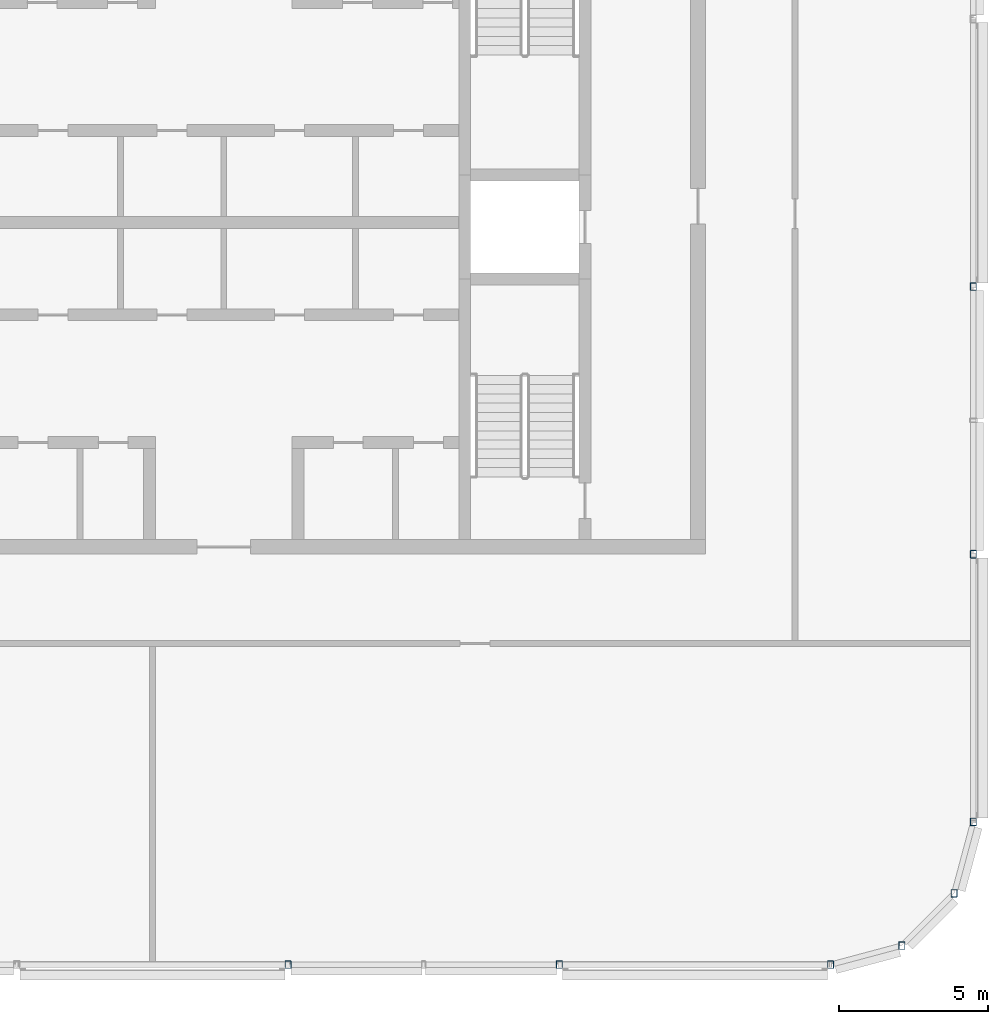
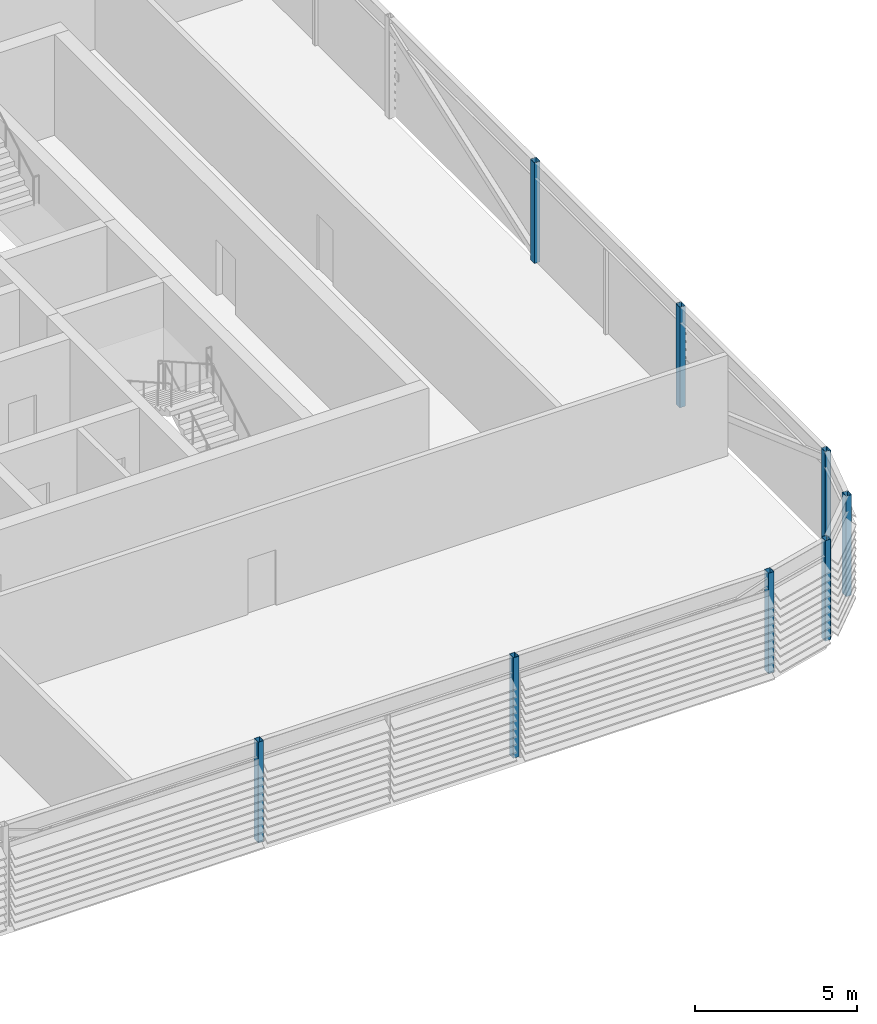
# One storey, part 2 of 28: 8 columns.
"""IFC4 building model written with IfcOpenShell, lengths in metres."""

from ifc_helpers import new_model, si_unit, direction, frame, origin, origin_2d, place, context, subcontext, project, spatial, hollow_rectangle, extrude, material, material_profile, profile_set, type_object, element, save


model = new_model("IFC4")

# Units and contexts
model_context = context("Model", 3, precision=1e-05, world=origin(), true_north=direction((0.0, 1.0)))
body_context = subcontext(model_context, "Body", "Model", "MODEL_VIEW")
ifc_project = project(units=[si_unit("LENGTHUNIT", "METRE"), si_unit("AREAUNIT", "SQUARE_METRE"), si_unit("VOLUMEUNIT", "CUBIC_METRE"), si_unit("PLANEANGLEUNIT", "RADIAN"), si_unit("MASSUNIT", "GRAM", prefix="KILO")], contexts=[model_context])

# Site, building, storey
site_placement = place(None, origin())
site = spatial("IfcSite", under=ifc_project, at=site_placement, CompositionType="ELEMENT")
building_placement = place(site_placement, origin())
building = spatial("IfcBuilding", under=site, at=building_placement, Name="Madar Terraces", CompositionType="ELEMENT")
storey_placement = place(building_placement, frame((0.0, 0.0, 310.10009765625)))
storey = spatial("IfcBuildingStorey", under=building, at=storey_placement, Name="L80", CompositionType="ELEMENT", Elevation=310.10009765625)

# Columns
ifc_material = material(Name="Steel ASTM A500 Grade C", Category="steel")
ifc_material_profile = material_profile(ifc_material, hollow_rectangle(XDim=0.203125, YDim=0.25390625, WallThickness=0.009521484375, InnerFilletRadius=0.00439453125, OuterFilletRadius=0.01318359375, at=origin_2d()), Name="HSS10x8x.375")
ifc_profile_set = profile_set([ifc_material_profile], Name="Steel ASTM A500 Grade C")
column_type = type_object("IfcColumnType", Name="CF1 HSS10x8x.375", PredefinedType="COLUMN", material=ifc_profile_set)
for number, where, z_axis, x_axis, name in (
    (1, (33.360107421875, 1.199951171875, 0.0), (0.0, 0.0, 1.0), (1.0, 0.0, 0.0), "Crown frame column CF1"),
    (2, (42.47998046875, 1.199951171875, 0.0), (0.0, 0.0, 1.0), (1.0, 0.0, 0.0), "Crown frame column CF1"),
    (3, (51.60009765625, 1.199951171875, 0.0), (0.0, 0.0, 1.0), (1.0, 0.0, 0.0), "Crown frame column CF1"),
    (4, (54.0, 1.843017578125, 0.0), (0.0, 0.0, 1.0), (1.0, 0.0, 0.0), "Crown frame column CF1"),
    (5, (55.7568359375, 3.60009765625, 0.0), (0.0, 0.0, 1.0), (1.0, 0.0, 0.0), "Crown frame column CF1"),
    (6, (56.39990234375, 6.0, 0.0), (0.0, 0.0, 1.0), (1.0, 0.0, 0.0), "Crown frame column CF1"),
    (7, (56.39990234375, 15.0, 0.0), (0.0, 0.0, 1.0), (1.0, 0.0, 0.0), "Crown frame column CF1"),
    (8, (56.39990234375, 24.0, 0.0), (0.0, 0.0, 1.0), (1.0, 0.0, 0.0), "Crown frame column CF1"),
):
    element("IfcColumn", number, at=place(storey_placement, frame(where, z_axis=z_axis, x_axis=x_axis)), inside=storey, type_object=column_type, Name=name, PredefinedType="COLUMN", context=body_context, shape_type="SweptSolid", body=[
        extrude(hollow_rectangle(XDim=0.203125, YDim=0.25390625, WallThickness=0.009521484375, InnerFilletRadius=0.00439453125, OuterFilletRadius=0.01318359375, at=origin_2d()), origin(), (0.0, 0.0, 1.0), 3.7998046875),
    ])

save(model, "model.ifc")
